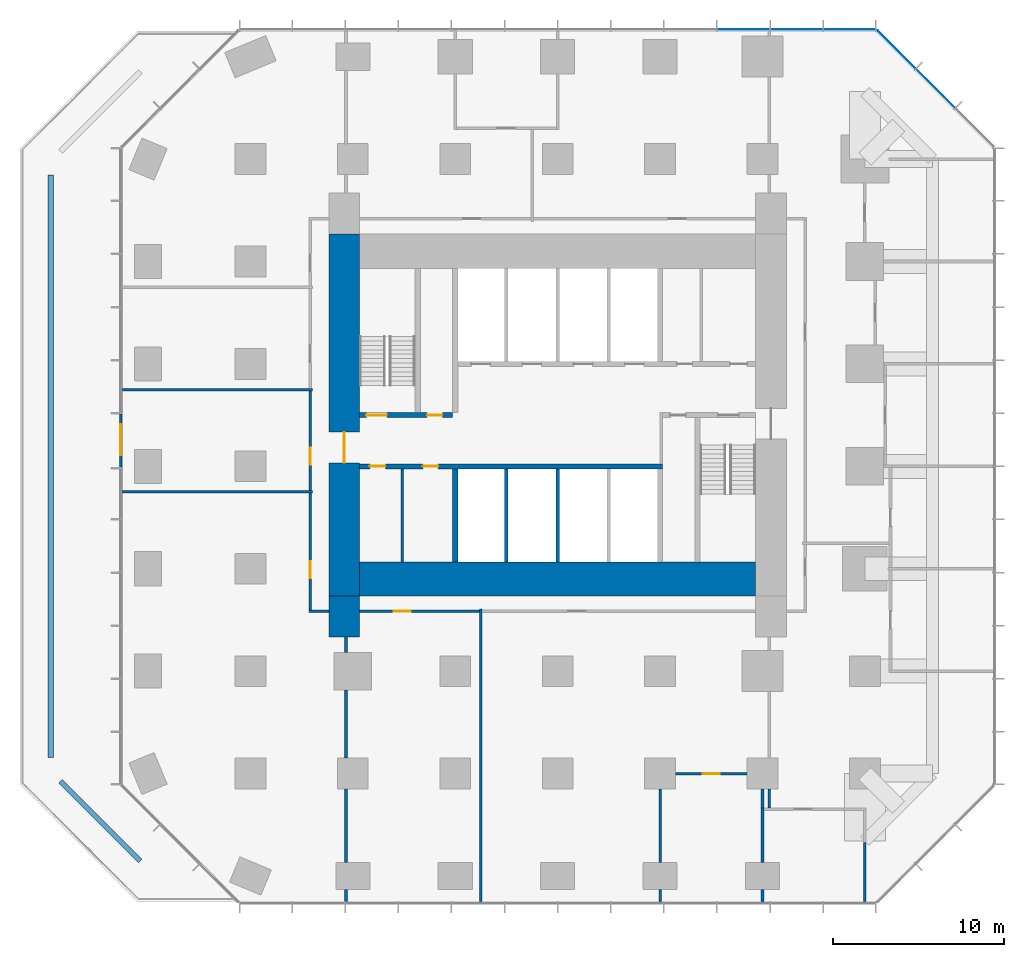
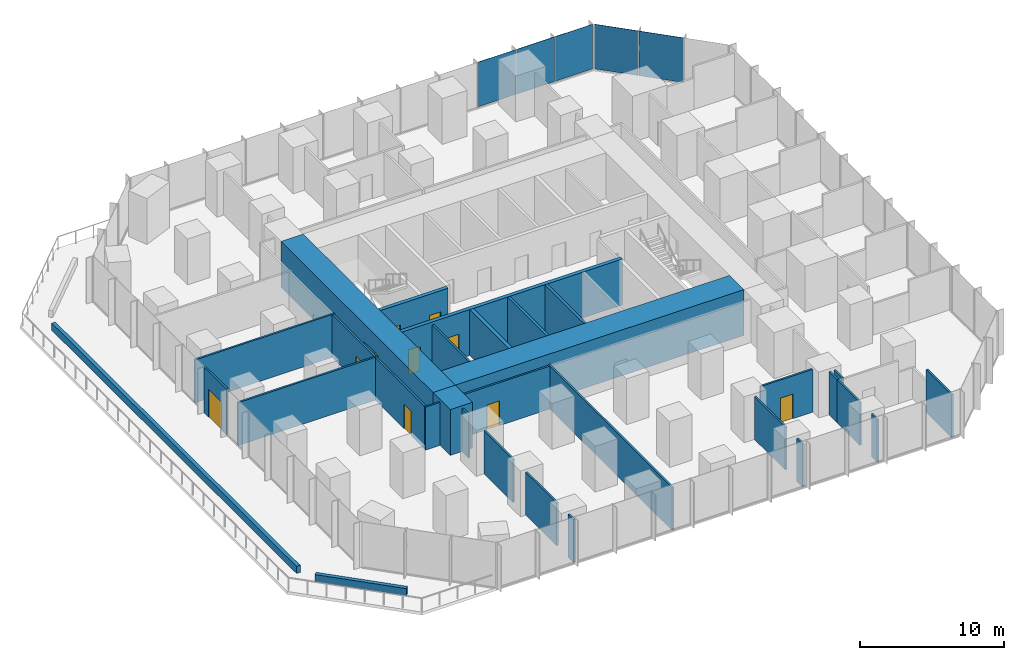
# One storey, part 8 of 12: 31 walls, 10 doors, 5 plates, 10 openings, 2 elements without a shape of their own.
"""IFC4 building model written with IfcOpenShell, lengths in metres."""

from ifc_helpers import new_model, si_unit, direction, frame, frame_2d, origin, origin_2d, place, context, subcontext, project, spatial, rectangle, extrude, material, layer, layer_set, type_object, element, fill, aggregate, save


model = new_model("IFC4")

# Units and contexts
model_context = context("Model", 3, precision=1e-05, world=origin(), true_north=direction((0.0, 1.0)))
body_context = subcontext(model_context, "Body", "Model", "MODEL_VIEW")
ifc_project = project(units=[si_unit("LENGTHUNIT", "METRE"), si_unit("AREAUNIT", "SQUARE_METRE"), si_unit("VOLUMEUNIT", "CUBIC_METRE"), si_unit("PLANEANGLEUNIT", "RADIAN"), si_unit("MASSUNIT", "GRAM", prefix="KILO")], contexts=[model_context])

# Site, building, storey
site_placement = place(None, origin())
site = spatial("IfcSite", under=ifc_project, at=site_placement, CompositionType="ELEMENT")
building_placement = place(site_placement, origin())
building = spatial("IfcBuilding", under=site, at=building_placement, Name="Highveld Stack Headquarters", CompositionType="ELEMENT")
storey_placement = place(building_placement, frame((0.0, 0.0, 41.60009765625)))
storey = spatial("IfcBuildingStorey", under=building, at=storey_placement, Name="L09", CompositionType="ELEMENT", Elevation=41.60009765625)

# Curtain wall, plates
ifc_material_1 = material(Name="Aluminium bronze anodised", Category="aluminium")
ifc_layer_1 = layer(ifc_material_1, 0.199951171875)
ifc_layer_set_1 = layer_set([ifc_layer_1], Name="Aluminium bronze anodised")
curtain_wall_type_1 = type_object("IfcCurtainWallType", Name="CW1 TOWER UNITISED CURTAIN WALL", PredefinedType="NOTDEFINED", material=ifc_layer_set_1)
curtain_wall_1_placement = place(storey_placement, origin())
curtain_wall_1 = element("IfcCurtainWall", 1, at=curtain_wall_1_placement, inside=storey, type_object=curtain_wall_type_1, Name="Curtain wall CW1 L09 N", PredefinedType="NOTDEFINED")
ifc_material_2 = material(Name="Glass bronze tinted double glazed unit", Category="glass")
ifc_layer_2 = layer(ifc_material_2, 0.028076171875)
ifc_layer_set_2 = layer_set([ifc_layer_2], Name="Glass bronze tinted double glazed unit")
plate_type_1 = type_object("IfcPlateType", Name="CW1 PANEL BRONZE TINTED DOUBLE GLAZED UNIT", PredefinedType="CURTAIN_PANEL", material=ifc_layer_set_2)
plate_1_placement = place(storey_placement, frame((23.09130859375, 25.60009765625, 0.10009765625), z_axis=(0.0, 0.0, 1.0), x_axis=(-1.0, 0.0, 0.0)))
plate_1 = element("IfcPlate", 2, at=plate_1_placement, type_object=plate_type_1, Name="CW1 panel L09 1.1", PredefinedType="CURTAIN_PANEL", context=body_context, shape_type="SweptSolid", body=[
    extrude(rectangle(XDim=3.012939453125, YDim=0.028076171875, at=origin_2d()), origin(), (0.0, 0.0, 1.0), 3.800048828125),
])
plate_2_placement = place(storey_placement, frame((19.9970703125, 25.60009765625, 0.10009765625), z_axis=(0.0, 0.0, 1.0), x_axis=(-1.0, 0.0, 0.0)))
plate_2 = element("IfcPlate", 3, at=plate_2_placement, type_object=plate_type_1, Name="CW1 panel L09 2.1", PredefinedType="CURTAIN_PANEL", context=body_context, shape_type="SweptSolid", body=[
    extrude(rectangle(XDim=3.04541015625, YDim=0.028076171875, at=origin_2d()), origin(), (0.0, 0.0, 1.0), 3.800048828125),
])
plate_3_placement = place(storey_placement, frame((16.88671875, 25.60009765625, 0.10009765625), z_axis=(0.0, 0.0, 1.0), x_axis=(-1.0, 0.0, 0.0)))
plate_3 = element("IfcPlate", 4, at=plate_3_placement, type_object=plate_type_1, Name="CW1 panel L09 3.1", PredefinedType="CURTAIN_PANEL", context=body_context, shape_type="SweptSolid", body=[
    extrude(rectangle(XDim=3.04541015625, YDim=0.028076171875, at=origin_2d()), origin(), (0.0, 0.0, 1.0), 3.800048828125),
])
aggregate(curtain_wall_1, [plate_1, plate_2, plate_3])

ifc_material_3 = material(Name="Aluminium bronze anodised", Category="aluminium")
ifc_layer_3 = layer(ifc_material_3, 0.199951171875)
ifc_layer_set_3 = layer_set([ifc_layer_3], Name="Aluminium bronze anodised")
curtain_wall_type_2 = type_object("IfcCurtainWallType", Name="CW2 TOWER CHAMFER UNITISED CURTAIN WALL", PredefinedType="NOTDEFINED", material=ifc_layer_set_3)
curtain_wall_2_placement = place(storey_placement, origin())
curtain_wall_2 = element("IfcCurtainWall", 5, at=curtain_wall_2_placement, inside=storey, type_object=curtain_wall_type_2, Name="Curtain wall CW2 L09 NE", PredefinedType="NOTDEFINED")
ifc_material_4 = material(Name="Glass bronze tinted double glazed unit", Category="glass")
ifc_layer_4 = layer(ifc_material_4, 0.028076171875)
ifc_layer_set_4 = layer_set([ifc_layer_4], Name="Glass bronze tinted double glazed unit")
plate_type_2 = type_object("IfcPlateType", Name="CW2 PANEL BRONZE TINTED DOUBLE GLAZED UNIT", PredefinedType="CURTAIN_PANEL", material=ifc_layer_set_4)
plate_4_placement = place(storey_placement, frame((28.13134765625, 22.13134765625, 0.10009765625), z_axis=(0.0, 0.0, 1.0), x_axis=(-0.707106781187, 0.707106781187, 0.0)))
plate_4 = element("IfcPlate", 6, at=plate_4_placement, type_object=plate_type_2, Name="CW2 panel L09 2.1", PredefinedType="CURTAIN_PANEL", context=body_context, shape_type="SweptSolid", body=[
    extrude(rectangle(XDim=3.205322265625, YDim=0.028076171875, at=origin_2d()), origin(), (0.0, 0.0, 1.0), 3.800048828125),
])
plate_5_placement = place(storey_placement, frame((25.8427734375, 24.419921875, 0.10009765625), z_axis=(0.0, 0.0, 1.0), x_axis=(-0.707106781187, 0.707106781187, 0.0)))
plate_5 = element("IfcPlate", 7, at=plate_5_placement, type_object=plate_type_2, Name="CW2 panel L09 3.1", PredefinedType="CURTAIN_PANEL", context=body_context, shape_type="SweptSolid", body=[
    extrude(rectangle(XDim=3.1376953125, YDim=0.028076171875, at=origin_2d()), origin(), (0.0, 0.0, 1.0), 3.800048828125),
])
aggregate(curtain_wall_2, [plate_4, plate_5])

# Wall, opening, door
ifc_material_5 = material(Name="Concrete C60/75", Category="concrete")
ifc_layer_5 = layer(ifc_material_5, 1.800048828125)
ifc_layer_set_5 = layer_set([ifc_layer_5], Name="Concrete C60/75")
wall_type_1 = type_object("IfcWallType", Name="CORE WALL 1800 C60/75", PredefinedType="SHEAR", material=ifc_layer_set_5)
wall_1_placement = place(storey_placement, frame((-6.5, -7.60009765625, 0.0), z_axis=(0.0, 0.0, 1.0), x_axis=(0.0, 1.0, 0.0)))
wall_1 = element("IfcWall", 8, at=wall_1_placement, inside=storey, type_object=wall_type_1, Name="Core wall W L09", PredefinedType="SHEAR", context=body_context, shape_type="SweptSolid", body=[
    extrude(rectangle(XDim=21.2001953125, YDim=1.800048828125, at=frame_2d((10.60009765625, 0.0))), origin(), (0.0, 0.0, 1.0), 3.89990234375),
])
opening_1_placement = place(wall_1_placement, frame((7.800048828125, 0.0, 0.0)))
opening_1 = element("IfcOpeningElement", 9, at=opening_1_placement, cuts=wall_1, Name="Opening L09-02", PredefinedType="OPENING", context=body_context, shape_type="SweptSolid", body=[
    extrude(rectangle(XDim=1.800048828125, YDim=2.39990234375, at=frame_2d((0.89990234375, 1.199951171875))), frame((0.0, 0.909912109375, 0.0), z_axis=(0.0, -1.0, 0.0), x_axis=(1.0, 0.0, 0.0)), (0.0, 0.0, 1.0), 1.820068359375),
])
ifc_material_6 = material(Name="Steel fire door", Category="steel")
door_type_1 = type_object("IfcDoorType", Name="LOBBY FIRE DOOR D4 1800x2400", OperationType="DOUBLE_DOOR_SINGLE_SWING", PredefinedType="DOOR", material=ifc_material_6)
door_1_placement = place(opening_1_placement, origin())
door_1 = element("IfcDoor", 10, at=door_1_placement, inside=storey, type_object=door_type_1, Name="Core west door L09", OperationType="DOUBLE_DOOR_SINGLE_SWING", OverallHeight=2.39990234375, OverallWidth=1.800048828125, PredefinedType="DOOR", context=body_context, shape_type="SweptSolid", body=[
    extrude(rectangle(XDim=1.800048828125, YDim=2.39990234375, at=frame_2d((0.89990234375, 1.199951171875))), frame((0.0, 0.02490234375, 0.0), z_axis=(0.0, -1.0, 0.0), x_axis=(1.0, 0.0, 0.0)), (0.0, 0.0, 1.0), 0.050048828125),
])
fill(opening_1, door_1)

# Wall
ifc_material_7 = material(Name="Concrete C60/75", Category="concrete")
ifc_layer_6 = layer(ifc_material_7, 2.0)
ifc_layer_set_6 = layer_set([ifc_layer_6], Name="Concrete C60/75")
wall_type_2 = type_object("IfcWallType", Name="CORE WALL 2000 C60/75", PredefinedType="SHEAR", material=ifc_layer_set_6)
wall_2_placement = place(storey_placement, frame((-5.60009765625, -6.60009765625, 0.0), z_axis=(0.0, 0.0, 1.0), x_axis=(1.0, 0.0, 0.0)))
element("IfcWall", 11, at=wall_2_placement, inside=storey, type_object=wall_type_2, Name="Core wall S L09", PredefinedType="SHEAR", context=body_context, shape_type="SweptSolid", body=[
    extrude(rectangle(XDim=23.2001953125, YDim=2.0, at=frame_2d((11.60009765625, 0.0))), origin(), (0.0, 0.0, 1.0), 3.89990234375),
])

# Wall, openings, doors
ifc_material_8 = material(Name="Concrete C60/75", Category="concrete")
ifc_layer_7 = layer(ifc_material_8, 0.300048828125)
ifc_layer_set_7 = layer_set([ifc_layer_7], Name="Concrete C60/75")
wall_type_3 = type_object("IfcWallType", Name="CORE WALL 300 C60/75", PredefinedType="SHEAR", material=ifc_layer_set_7)
wall_3_placement = place(storey_placement, frame((-5.60009765625, 0.0, 0.0), z_axis=(0.0, 0.0, 1.0), x_axis=(1.0, 0.0, 0.0)))
wall_3 = element("IfcWall", 12, at=wall_3_placement, inside=storey, type_object=wall_type_3, Name="Core wall I-Y0 L09", PredefinedType="SHEAR", context=body_context, shape_type="SweptSolid", body=[
    extrude(rectangle(XDim=17.75, YDim=0.300048828125, at=frame_2d((8.875, 0.0))), origin(), (0.0, 0.0, 1.0), 3.89990234375),
])
opening_2_placement = place(wall_3_placement, frame((0.60009765625, 0.0, 0.0)))
opening_2 = element("IfcOpeningElement", 13, at=opening_2_placement, cuts=wall_3, Name="Opening L09-08", PredefinedType="OPENING", context=body_context, shape_type="SweptSolid", body=[
    extrude(rectangle(XDim=0.89990234375, YDim=2.10009765625, at=frame_2d((0.449951171875, 1.050048828125))), frame((0.0, 0.159912109375, 0.0), z_axis=(0.0, -1.0, 0.0), x_axis=(1.0, 0.0, 0.0)), (0.0, 0.0, 1.0), 0.320068359375),
])
opening_3_placement = place(wall_3_placement, frame((3.699951171875, 0.0, 0.0)))
opening_3 = element("IfcOpeningElement", 14, at=opening_3_placement, cuts=wall_3, Name="Opening L09-09", PredefinedType="OPENING", context=body_context, shape_type="SweptSolid", body=[
    extrude(rectangle(XDim=0.89990234375, YDim=2.10009765625, at=frame_2d((0.449951171875, 1.050048828125))), frame((0.0, 0.159912109375, 0.0), z_axis=(0.0, -1.0, 0.0), x_axis=(1.0, 0.0, 0.0)), (0.0, 0.0, 1.0), 0.320068359375),
])
ifc_material_9 = material(Name="Timber door, painted", Category="wood")
door_type_2 = type_object("IfcDoorType", Name="WC DOOR D1 900x2100", OperationType="SINGLE_SWING_LEFT", PredefinedType="DOOR", material=ifc_material_9)
door_2_placement = place(opening_2_placement, origin())
door_2 = element("IfcDoor", 15, at=door_2_placement, inside=storey, type_object=door_type_2, Name="Female WC door L09", OperationType="SINGLE_SWING_LEFT", OverallHeight=2.10009765625, OverallWidth=0.89990234375, PredefinedType="DOOR", context=body_context, shape_type="SweptSolid", body=[
    extrude(rectangle(XDim=0.89990234375, YDim=2.10009765625, at=frame_2d((0.449951171875, 1.050048828125))), frame((0.0, 0.02490234375, 0.0), z_axis=(0.0, -1.0, 0.0), x_axis=(1.0, 0.0, 0.0)), (0.0, 0.0, 1.0), 0.050048828125),
])
fill(opening_2, door_2)
door_3_placement = place(opening_3_placement, origin())
door_3 = element("IfcDoor", 16, at=door_3_placement, inside=storey, type_object=door_type_2, Name="Shower and changing room door L09", OperationType="SINGLE_SWING_LEFT", OverallHeight=2.10009765625, OverallWidth=0.89990234375, PredefinedType="DOOR", context=body_context, shape_type="SweptSolid", body=[
    extrude(rectangle(XDim=0.89990234375, YDim=2.10009765625, at=frame_2d((0.449951171875, 1.050048828125))), frame((0.0, 0.02490234375, 0.0), z_axis=(0.0, -1.0, 0.0), x_axis=(1.0, 0.0, 0.0)), (0.0, 0.0, 1.0), 0.050048828125),
])
fill(opening_3, door_3)

wall_4_placement = place(storey_placement, frame((-5.60009765625, 3.0, 0.0), z_axis=(0.0, 0.0, 1.0), x_axis=(1.0, 0.0, 0.0)))
wall_4 = element("IfcWall", 17, at=wall_4_placement, inside=storey, type_object=wall_type_3, Name="Core wall I-Y3W L09", PredefinedType="SHEAR", context=body_context, shape_type="SweptSolid", body=[
    extrude(rectangle(XDim=5.4501953125, YDim=0.300048828125, at=frame_2d((2.72509765625, 0.0))), origin(), (0.0, 0.0, 1.0), 3.89990234375),
])
opening_4_placement = place(wall_4_placement, frame((0.39990234375, 0.0, 0.0)))
opening_4 = element("IfcOpeningElement", 18, at=opening_4_placement, cuts=wall_4, Name="Opening L09-04", PredefinedType="OPENING", context=body_context, shape_type="SweptSolid", body=[
    extrude(rectangle(XDim=1.199951171875, YDim=2.10009765625, at=frame_2d((0.60009765625, 1.050048828125))), frame((0.0, 0.159912109375, 0.0), z_axis=(0.0, -1.0, 0.0), x_axis=(1.0, 0.0, 0.0)), (0.0, 0.0, 1.0), 0.320068359375),
])
opening_5_placement = place(wall_4_placement, frame((3.949951171875, 0.0, 0.0)))
opening_5 = element("IfcOpeningElement", 19, at=opening_5_placement, cuts=wall_4, Name="Opening L09-05", PredefinedType="OPENING", context=body_context, shape_type="SweptSolid", body=[
    extrude(rectangle(XDim=0.89990234375, YDim=2.10009765625, at=frame_2d((0.449951171875, 1.050048828125))), frame((0.0, 0.159912109375, 0.0), z_axis=(0.0, -1.0, 0.0), x_axis=(1.0, 0.0, 0.0)), (0.0, 0.0, 1.0), 0.320068359375),
])
ifc_material_10 = material(Name="Steel fire door", Category="steel")
door_type_3 = type_object("IfcDoorType", Name="RISER ACCESS DOOR D5 900x2100", OperationType="SINGLE_SWING_LEFT", PredefinedType="DOOR", material=ifc_material_10)
door_4_placement = place(opening_5_placement, origin())
door_4 = element("IfcDoor", 20, at=door_4_placement, inside=storey, type_object=door_type_3, Name="Riser R1 door L09", OperationType="SINGLE_SWING_RIGHT", OverallHeight=2.10009765625, OverallWidth=0.89990234375, PredefinedType="DOOR", context=body_context, shape_type="SweptSolid", body=[
    extrude(rectangle(XDim=0.89990234375, YDim=2.10009765625, at=frame_2d((0.449951171875, 1.050048828125))), frame((0.0, 0.02490234375, 0.0), z_axis=(0.0, -1.0, 0.0), x_axis=(1.0, 0.0, 0.0)), (0.0, 0.0, 1.0), 0.050048828125),
])
fill(opening_5, door_4)
ifc_material_11 = material(Name="Steel fire door", Category="steel")
door_type_4 = type_object("IfcDoorType", Name="STAIR FIRE DOOR D3 1200x2100", OperationType="SINGLE_SWING_LEFT", PredefinedType="DOOR", material=ifc_material_11)
door_5_placement = place(opening_4_placement, origin())
door_5 = element("IfcDoor", 21, at=door_5_placement, inside=storey, type_object=door_type_4, Name="Stair S1 door L09", OperationType="SINGLE_SWING_LEFT", OverallHeight=2.10009765625, OverallWidth=1.199951171875, PredefinedType="DOOR", context=body_context, shape_type="SweptSolid", body=[
    extrude(rectangle(XDim=1.199951171875, YDim=2.10009765625, at=frame_2d((0.60009765625, 1.050048828125))), frame((0.0, 0.02490234375, 0.0), z_axis=(0.0, -1.0, 0.0), x_axis=(1.0, 0.0, 0.0)), (0.0, 0.0, 1.0), 0.050048828125),
])
fill(opening_4, door_5)

# Walls
wall_5_placement = place(storey_placement, frame((0.0, -5.60009765625, 0.0), z_axis=(0.0, 0.0, 1.0), x_axis=(0.0, 1.0, 0.0)))
element("IfcWall", 22, at=wall_5_placement, inside=storey, type_object=wall_type_3, Name="Core wall I-X0S L09", PredefinedType="SHEAR", context=body_context, shape_type="SweptSolid", body=[
    extrude(rectangle(XDim=5.4501953125, YDim=0.300048828125, at=frame_2d((2.72509765625, 0.0))), origin(), (0.0, 0.0, 1.0), 3.89990234375),
])
ifc_material_12 = material(Name="Concrete C60/75", Category="concrete")
ifc_layer_8 = layer(ifc_material_12, 1.800048828125)
ifc_layer_set_8 = layer_set([ifc_layer_8], Name="Concrete C60/75")
wall_type_4 = type_object("IfcWallType", Name="CORE WING WALL 1800 C60/75", PredefinedType="SHEAR", material=ifc_layer_set_8)
wall_6_placement = place(storey_placement, frame((-6.5, -10.0, 0.0), z_axis=(0.0, 0.0, 1.0), x_axis=(0.0, 1.0, 0.0)))
element("IfcWall", 23, at=wall_6_placement, inside=storey, type_object=wall_type_4, Name="Core wing wall WS L09", PredefinedType="SHEAR", context=body_context, shape_type="SweptSolid", body=[
    extrude(rectangle(XDim=2.39990234375, YDim=1.800048828125, at=frame_2d((1.199951171875, 0.0))), origin(), (0.0, 0.0, 1.0), 3.89990234375),
])

# Wall, opening, door
ifc_material_13 = material(Name="Aluminium framed glazed screen", Category="aluminium")
ifc_layer_9 = layer(ifc_material_13, 0.14990234375)
ifc_layer_set_9 = layer_set([ifc_layer_9], Name="Aluminium framed glazed screen")
wall_type_5 = type_object("IfcWallType", Name="GLAZED DOOR SCREEN 150", PredefinedType="USERDEFINED", material=ifc_layer_set_9)
wall_7_placement = place(storey_placement, frame((-19.60009765625, -0.04248046875, 0.0), z_axis=(0.0, 0.0, 1.0), x_axis=(0.0, 1.0, 0.0)))
wall_7 = element("IfcWall", 24, at=wall_7_placement, inside=storey, type_object=wall_type_5, Name="Glazed door screen L09 W", ObjectType="GLAZED SCREEN", PredefinedType="USERDEFINED", context=body_context, shape_type="SweptSolid", body=[
    extrude(rectangle(XDim=3.120361328125, YDim=0.14990234375, at=frame_2d((1.56005859375, 0.0))), origin(), (0.0, 0.0, 1.0), 3.89990234375),
])
opening_6_placement = place(wall_7_placement, frame((0.69775390625, 0.0, 0.0)))
opening_6 = element("IfcOpeningElement", 25, at=opening_6_placement, cuts=wall_7, Name="Opening L09-01", PredefinedType="OPENING", context=body_context, shape_type="SweptSolid", body=[
    extrude(rectangle(XDim=1.800048828125, YDim=2.39990234375, at=frame_2d((0.89990234375, 1.199951171875))), frame((0.0, 0.0849609375, 0.0), z_axis=(0.0, -1.0, 0.0), x_axis=(1.0, 0.0, 0.0)), (0.0, 0.0, 1.0), 0.169921875),
])
ifc_material_14 = material(Name="Aluminium framed glass door", Category="aluminium")
door_type_5 = type_object("IfcDoorType", Name="TERRACE DOOR D8 1800x2400", OperationType="DOUBLE_DOOR_SINGLE_SWING", PredefinedType="DOOR", material=ifc_material_14)
door_6_placement = place(opening_6_placement, origin())
door_6 = element("IfcDoor", 26, at=door_6_placement, inside=storey, type_object=door_type_5, Name="Terrace door L09 W", OperationType="DOUBLE_DOOR_SINGLE_SWING", OverallHeight=2.39990234375, OverallWidth=1.800048828125, PredefinedType="DOOR", context=body_context, shape_type="SweptSolid", body=[
    extrude(rectangle(XDim=1.800048828125, YDim=2.39990234375, at=frame_2d((0.89990234375, 1.199951171875))), frame((0.0, 0.02490234375, 0.0), z_axis=(0.0, -1.0, 0.0), x_axis=(1.0, 0.0, 0.0)), (0.0, 0.0, 1.0), 0.050048828125),
])
fill(opening_6, door_6)

ifc_material_15 = material(Name="Laminated glass in aluminium frame", Category="aluminium")
ifc_layer_10 = layer(ifc_material_15, 0.14990234375)
ifc_layer_set_10 = layer_set([ifc_layer_10], Name="Laminated glass in aluminium frame")
wall_type_6 = type_object("IfcWallType", Name="GLAZED PARTITION 150", PredefinedType="PARTITIONING", material=ifc_layer_set_10)
wall_8_placement = place(storey_placement, frame((12.89990234375, -18.0, 0.0), z_axis=(0.0, 0.0, 1.0), x_axis=(1.0, 0.0, 0.0)))
wall_8 = element("IfcWall", 27, at=wall_8_placement, inside=storey, type_object=wall_type_6, Name="Glazed partition Meeting room L09", PredefinedType="PARTITIONING", context=body_context, shape_type="SweptSolid", body=[
    extrude(rectangle(XDim=4.2001953125, YDim=0.14990234375, at=frame_2d((2.10009765625, 0.0))), origin(), (0.0, 0.0, 1.0), 3.64990234375),
])
opening_7_placement = place(wall_8_placement, frame((1.60009765625, 0.0, 0.0)))
opening_7 = element("IfcOpeningElement", 28, at=opening_7_placement, cuts=wall_8, Name="Opening L09-12", PredefinedType="OPENING", context=body_context, shape_type="SweptSolid", body=[
    extrude(rectangle(XDim=1.0, YDim=2.10009765625, at=frame_2d((0.5, 1.050048828125))), frame((0.0, 0.0849609375, 0.0), z_axis=(0.0, -1.0, 0.0), x_axis=(1.0, 0.0, 0.0)), (0.0, 0.0, 1.0), 0.169921875),
])
ifc_material_16 = material(Name="Timber door, oiled ash", Category="wood")
door_type_6 = type_object("IfcDoorType", Name="ROOM DOOR D6 1000x2100", OperationType="SINGLE_SWING_LEFT", PredefinedType="DOOR", material=ifc_material_16)
door_7_placement = place(opening_7_placement, origin())
door_7 = element("IfcDoor", 29, at=door_7_placement, inside=storey, type_object=door_type_6, Name="Meeting room door 1 L09", OperationType="SINGLE_SWING_RIGHT", OverallHeight=2.10009765625, OverallWidth=1.0, PredefinedType="DOOR", context=body_context, shape_type="SweptSolid", body=[
    extrude(rectangle(XDim=1.0, YDim=2.10009765625, at=frame_2d((0.5, 1.050048828125))), frame((0.0, 0.02490234375, 0.0), z_axis=(0.0, -1.0, 0.0), x_axis=(1.0, 0.0, 0.0)), (0.0, 0.0, 1.0), 0.050048828125),
])
fill(opening_7, door_7)

# Walls
ifc_material_17 = material(Name="Concrete blockwork, fair-faced", Category="masonry")
ifc_layer_11 = layer(ifc_material_17, 0.199951171875)
ifc_layer_set_11 = layer_set([ifc_layer_11], Name="Concrete blockwork, fair-faced")
wall_type_7 = type_object("IfcWallType", Name="LIFT SHAFT ENCLOSURE WALL 200 BLOCKWORK", PredefinedType="SOLIDWALL", material=ifc_layer_set_11)
for number, where, z_axis, x_axis, name in (
    (30, (3.0, -5.60009765625, 0.0), (0.0, 0.0, 1.0), (0.0, 1.0, 0.0), "Lift shaft wall L09"),
    (31, (6.0, -5.60009765625, 0.0), (0.0, 0.0, 1.0), (0.0, 1.0, 0.0), "Lift shaft wall L09"),
):
    element("IfcWall", number, at=place(storey_placement, frame(where, z_axis=z_axis, x_axis=x_axis)), inside=storey, type_object=wall_type_7, Name=name, PredefinedType="SOLIDWALL", context=body_context, shape_type="SweptSolid", body=[
        extrude(rectangle(XDim=5.4501953125, YDim=0.199951171875, at=frame_2d((2.72509765625, 0.0))), origin(), (0.0, 0.0, 1.0), 3.89990234375),
    ])
ifc_material_18 = material(Name="Gypsum plasterboard on steel studs", Category="steel")
ifc_layer_12 = layer(ifc_material_18, 0.14990234375)
ifc_layer_set_12 = layer_set([ifc_layer_12], Name="Gypsum plasterboard on steel studs")
wall_type_8 = type_object("IfcWallType", Name="PARTITION 150 PLASTERBOARD", PredefinedType="PARTITIONING", material=ifc_layer_set_12)
wall_9_placement = place(storey_placement, frame((12.0, -25.60009765625, 0.0), z_axis=(0.0, 0.0, 1.0), x_axis=(0.0, 1.0, 0.0)))
element("IfcWall", 32, at=wall_9_placement, inside=storey, type_object=wall_type_8, Name="Partition Meeting room L09", PredefinedType="PARTITIONING", context=body_context, shape_type="SweptSolid", body=[
    extrude(rectangle(XDim=0.800048828125, YDim=0.14990234375, at=frame_2d((0.39990234375, 0.0))), origin(), (0.0, 0.0, 1.0), 3.64990234375),
])
wall_10_placement = place(storey_placement, frame((12.0, -23.199951171875, 0.0), z_axis=(0.0, 0.0, 1.0), x_axis=(0.0, 1.0, 0.0)))
element("IfcWall", 33, at=wall_10_placement, inside=storey, type_object=wall_type_8, Name="Partition Meeting room L09", PredefinedType="PARTITIONING", context=body_context, shape_type="SweptSolid", body=[
    extrude(rectangle(XDim=4.300048828125, YDim=0.14990234375, at=frame_2d((2.14990234375, 0.0))), origin(), (0.0, 0.0, 1.0), 3.64990234375),
])
wall_11_placement = place(storey_placement, frame((18.0, -25.60009765625, 0.0), z_axis=(0.0, 0.0, 1.0), x_axis=(0.0, 1.0, 0.0)))
element("IfcWall", 34, at=wall_11_placement, inside=storey, type_object=wall_type_8, Name="Partition Focus room / Meeting room L09", PredefinedType="PARTITIONING", context=body_context, shape_type="SweptSolid", body=[
    extrude(rectangle(XDim=0.800048828125, YDim=0.14990234375, at=frame_2d((0.39990234375, 0.0))), origin(), (0.0, 0.0, 1.0), 3.64990234375),
])
wall_12_placement = place(storey_placement, frame((18.0, -23.199951171875, 0.0), z_axis=(0.0, 0.0, 1.0), x_axis=(0.0, 1.0, 0.0)))
element("IfcWall", 35, at=wall_12_placement, inside=storey, type_object=wall_type_8, Name="Partition Focus room / Meeting room L09", PredefinedType="PARTITIONING", context=body_context, shape_type="SweptSolid", body=[
    extrude(rectangle(XDim=3.175048828125, YDim=0.14990234375, at=frame_2d((1.58740234375, 0.0))), origin(), (0.0, 0.0, 1.0), 3.64990234375),
])
wall_13_placement = place(storey_placement, frame((18.0, -20.02490234375, 0.0), z_axis=(0.0, 0.0, 1.0), x_axis=(0.0, 1.0, 0.0)))
element("IfcWall", 36, at=wall_13_placement, inside=storey, type_object=wall_type_8, Name="Partition Meeting room L09", PredefinedType="PARTITIONING", context=body_context, shape_type="SweptSolid", body=[
    extrude(rectangle(XDim=1.125, YDim=0.14990234375, at=frame_2d((0.5625, 0.0))), origin(), (0.0, 0.0, 1.0), 3.64990234375),
])
wall_14_placement = place(storey_placement, frame((24.0, -25.60009765625, 0.0), z_axis=(0.0, 0.0, 1.0), x_axis=(0.0, 1.0, 0.0)))
element("IfcWall", 37, at=wall_14_placement, inside=storey, type_object=wall_type_8, Name="Partition Focus room L09", PredefinedType="PARTITIONING", context=body_context, shape_type="SweptSolid", body=[
    extrude(rectangle(XDim=3.55517578125, YDim=0.14990234375, at=frame_2d((1.777587890625, 0.0))), origin(), (0.0, 0.0, 1.0), 3.64990234375),
])
for number, where, z_axis, x_axis, name in (
    (38, (-19.60009765625, -1.5, 0.0), (0.0, 0.0, 1.0), (1.0, 0.0, 0.0), "Partition office neighbourhood L09"),
    (39, (-19.60009765625, 4.5, 0.0), (0.0, 0.0, 1.0), (1.0, 0.0, 0.0), "Partition office neighbourhood L09"),
):
    element("IfcWall", number, at=place(storey_placement, frame(where, z_axis=z_axis, x_axis=x_axis)), inside=storey, type_object=wall_type_8, Name=name, PredefinedType="PARTITIONING", context=body_context, shape_type="SweptSolid", body=[
        extrude(rectangle(XDim=11.25, YDim=0.14990234375, at=frame_2d((5.625, 0.0))), origin(), (0.0, 0.0, 1.0), 3.64990234375),
    ])

# Wall, opening, door
wall_15_placement = place(storey_placement, frame((-8.5, -8.425048828125, 0.0), z_axis=(0.0, 0.0, 1.0), x_axis=(0.0, 1.0, 0.0)))
wall_15 = element("IfcWall", 40, at=wall_15_placement, inside=storey, type_object=wall_type_8, Name="Partition office neighbourhood L09", PredefinedType="PARTITIONING", context=body_context, shape_type="SweptSolid", body=[
    extrude(rectangle(XDim=6.85009765625, YDim=0.14990234375, at=frame_2d((3.425048828125, 0.0))), origin(), (0.0, 0.0, 1.0), 3.64990234375),
])
opening_8_placement = place(wall_15_placement, frame((1.875, 0.0, 0.0)))
opening_8 = element("IfcOpeningElement", 41, at=opening_8_placement, cuts=wall_15, Name="Opening L09-21", PredefinedType="OPENING", context=body_context, shape_type="SweptSolid", body=[
    extrude(rectangle(XDim=1.0, YDim=2.10009765625, at=frame_2d((0.5, 1.050048828125))), frame((0.0, 0.0849609375, 0.0), z_axis=(0.0, -1.0, 0.0), x_axis=(1.0, 0.0, 0.0)), (0.0, 0.0, 1.0), 0.169921875),
])
door_8_placement = place(opening_8_placement, origin())
door_8 = element("IfcDoor", 42, at=door_8_placement, inside=storey, type_object=door_type_6, Name="Office neighbourhood door L09", OperationType="SINGLE_SWING_LEFT", OverallHeight=2.10009765625, OverallWidth=1.0, PredefinedType="DOOR", context=body_context, shape_type="SweptSolid", body=[
    extrude(rectangle(XDim=1.0, YDim=2.10009765625, at=frame_2d((0.5, 1.050048828125))), frame((0.0, 0.02490234375, 0.0), z_axis=(0.0, -1.0, 0.0), x_axis=(1.0, 0.0, 0.0)), (0.0, 0.0, 1.0), 0.050048828125),
])
fill(opening_8, door_8)

# Wall
wall_16_placement = place(storey_placement, frame((-8.574951171875, -8.5, 0.0), z_axis=(0.0, 0.0, 1.0), x_axis=(1.0, 0.0, 0.0)))
element("IfcWall", 43, at=wall_16_placement, inside=storey, type_object=wall_type_8, Name="Partition office neighbourhood L09", PredefinedType="PARTITIONING", context=body_context, shape_type="SweptSolid", body=[
    extrude(rectangle(XDim=1.175048828125, YDim=0.14990234375, at=frame_2d((0.58740234375, 0.0))), origin(), (0.0, 0.0, 1.0), 3.64990234375),
])

# Wall, opening, door
wall_17_placement = place(storey_placement, frame((-8.5, -1.425048828125, 0.0), z_axis=(0.0, 0.0, 1.0), x_axis=(0.0, 1.0, 0.0)))
wall_17 = element("IfcWall", 44, at=wall_17_placement, inside=storey, type_object=wall_type_8, Name="Partition office neighbourhood L09", PredefinedType="PARTITIONING", context=body_context, shape_type="SweptSolid", body=[
    extrude(rectangle(XDim=5.85009765625, YDim=0.14990234375, at=frame_2d((2.925048828125, 0.0))), origin(), (0.0, 0.0, 1.0), 3.64990234375),
])
opening_9_placement = place(wall_17_placement, frame((1.52490234375, 0.0, 0.0)))
opening_9 = element("IfcOpeningElement", 45, at=opening_9_placement, cuts=wall_17, Name="Opening L09-22", PredefinedType="OPENING", context=body_context, shape_type="SweptSolid", body=[
    extrude(rectangle(XDim=1.0, YDim=2.10009765625, at=frame_2d((0.5, 1.050048828125))), frame((0.0, 0.0849609375, 0.0), z_axis=(0.0, -1.0, 0.0), x_axis=(1.0, 0.0, 0.0)), (0.0, 0.0, 1.0), 0.169921875),
])
door_9_placement = place(opening_9_placement, origin())
door_9 = element("IfcDoor", 46, at=door_9_placement, inside=storey, type_object=door_type_6, Name="Office neighbourhood door L09", OperationType="SINGLE_SWING_LEFT", OverallHeight=2.10009765625, OverallWidth=1.0, PredefinedType="DOOR", context=body_context, shape_type="SweptSolid", body=[
    extrude(rectangle(XDim=1.0, YDim=2.10009765625, at=frame_2d((0.5, 1.050048828125))), frame((0.0, 0.02490234375, 0.0), z_axis=(0.0, -1.0, 0.0), x_axis=(1.0, 0.0, 0.0)), (0.0, 0.0, 1.0), 0.050048828125),
])
fill(opening_9, door_9)

# Walls
wall_18_placement = place(storey_placement, frame((-6.39990234375, -25.550048828125, 0.0), z_axis=(0.0, 0.0, 1.0), x_axis=(0.0, 1.0, 0.0)))
element("IfcWall", 47, at=wall_18_placement, inside=storey, type_object=wall_type_8, Name="Partition office neighbourhood L09", PredefinedType="PARTITIONING", context=body_context, shape_type="SweptSolid", body=[
    extrude(rectangle(XDim=0.75, YDim=0.14990234375, at=frame_2d((0.375, 0.0))), origin(), (0.0, 0.0, 1.0), 3.64990234375),
])
wall_19_placement = place(storey_placement, frame((-6.39990234375, -23.199951171875, 0.0), z_axis=(0.0, 0.0, 1.0), x_axis=(0.0, 1.0, 0.0)))
element("IfcWall", 48, at=wall_19_placement, inside=storey, type_object=wall_type_8, Name="Partition office neighbourhood L09", PredefinedType="PARTITIONING", context=body_context, shape_type="SweptSolid", body=[
    extrude(rectangle(XDim=4.300048828125, YDim=0.14990234375, at=frame_2d((2.14990234375, 0.0))), origin(), (0.0, 0.0, 1.0), 3.64990234375),
])
wall_20_placement = place(storey_placement, frame((-6.39990234375, -17.10009765625, 0.0), z_axis=(0.0, 0.0, 1.0), x_axis=(0.0, 1.0, 0.0)))
element("IfcWall", 49, at=wall_20_placement, inside=storey, type_object=wall_type_8, Name="Partition office neighbourhood L09", PredefinedType="PARTITIONING", context=body_context, shape_type="SweptSolid", body=[
    extrude(rectangle(XDim=4.0, YDim=0.14990234375, at=frame_2d((2.0, 0.0))), origin(), (0.0, 0.0, 1.0), 3.64990234375),
])
wall_21_placement = place(storey_placement, frame((-6.39990234375, -10.89990234375, 0.0), z_axis=(0.0, 0.0, 1.0), x_axis=(0.0, 1.0, 0.0)))
element("IfcWall", 50, at=wall_21_placement, inside=storey, type_object=wall_type_8, Name="Partition office neighbourhood L09", PredefinedType="PARTITIONING", context=body_context, shape_type="SweptSolid", body=[
    extrude(rectangle(XDim=0.89990234375, YDim=0.14990234375, at=frame_2d((0.449951171875, 0.0))), origin(), (0.0, 0.0, 1.0), 3.64990234375),
])

# Wall, opening, door
wall_22_placement = place(storey_placement, frame((1.425048828125, -8.5, 0.0), z_axis=(0.0, 0.0, 1.0), x_axis=(-1.0, 0.0, 0.0)))
wall_22 = element("IfcWall", 51, at=wall_22_placement, inside=storey, type_object=wall_type_8, Name="Partition office neighbourhood L09", PredefinedType="PARTITIONING", context=body_context, shape_type="SweptSolid", body=[
    extrude(rectangle(XDim=7.025146484375, YDim=0.14990234375, at=frame_2d((3.5126953125, 0.0))), origin(), (0.0, 0.0, 1.0), 3.64990234375),
])
opening_10_placement = place(wall_22_placement, frame((4.0400390625, 0.0, 0.0)))
opening_10 = element("IfcOpeningElement", 52, at=opening_10_placement, cuts=wall_22, Name="Opening L09-26", PredefinedType="OPENING", context=body_context, shape_type="SweptSolid", body=[
    extrude(rectangle(XDim=1.0, YDim=2.10009765625, at=frame_2d((0.5, 1.050048828125))), frame((0.0, 0.0849609375, 0.0), z_axis=(0.0, -1.0, 0.0), x_axis=(1.0, 0.0, 0.0)), (0.0, 0.0, 1.0), 0.169921875),
])
door_10_placement = place(opening_10_placement, origin())
door_10 = element("IfcDoor", 53, at=door_10_placement, inside=storey, type_object=door_type_6, Name="Office neighbourhood door L09", OperationType="SINGLE_SWING_RIGHT", OverallHeight=2.10009765625, OverallWidth=1.0, PredefinedType="DOOR", context=body_context, shape_type="SweptSolid", body=[
    extrude(rectangle(XDim=1.0, YDim=2.10009765625, at=frame_2d((0.5, 1.050048828125))), frame((0.0, 0.02490234375, 0.0), z_axis=(0.0, -1.0, 0.0), x_axis=(1.0, 0.0, 0.0)), (0.0, 0.0, 1.0), 0.050048828125),
])
fill(opening_10, door_10)

# Walls
wall_23_placement = place(storey_placement, frame((1.5, -25.60009765625, 0.0), z_axis=(0.0, 0.0, 1.0), x_axis=(0.0, 1.0, 0.0)))
element("IfcWall", 54, at=wall_23_placement, inside=storey, type_object=wall_type_8, Name="Partition office neighbourhood L09", PredefinedType="PARTITIONING", context=body_context, shape_type="SweptSolid", body=[
    extrude(rectangle(XDim=17.25, YDim=0.14990234375, at=frame_2d((8.625, 0.0))), origin(), (0.0, 0.0, 1.0), 3.64990234375),
])
wall_24_placement = place(storey_placement, frame((18.39990234375, -20.02490234375, 0.0), z_axis=(0.0, 0.0, 1.0), x_axis=(0.0, 1.0, 0.0)))
element("IfcWall", 55, at=wall_24_placement, inside=storey, type_object=wall_type_8, Name="Partition office neighbourhood L09", PredefinedType="PARTITIONING", context=body_context, shape_type="SweptSolid", body=[
    extrude(rectangle(XDim=1.125, YDim=0.14990234375, at=frame_2d((0.5625, 0.0))), origin(), (0.0, 0.0, 1.0), 3.64990234375),
])
ifc_material_19 = material(Name="Concrete C40/50, precast planter", Category="concrete")
ifc_layer_13 = layer(ifc_material_19, 0.300048828125)
ifc_layer_set_13 = layer_set([ifc_layer_13], Name="Concrete C40/50, precast planter")
wall_type_9 = type_object("IfcWallType", Name="PLANTER WALL PL1 300", PredefinedType="USERDEFINED", material=ifc_layer_set_13)
wall_25_placement = place(storey_placement, frame((-18.453125, -23.12255859375, 0.0), z_axis=(0.0, 0.0, 1.0), x_axis=(-0.707106781187, 0.707106781187, 0.0)))
element("IfcWall", 56, at=wall_25_placement, inside=storey, type_object=wall_type_9, Name="Planter L09 1.2", ObjectType="PLANTER", PredefinedType="USERDEFINED", context=body_context, shape_type="SweptSolid", body=[
    extrude(rectangle(XDim=6.603515625, YDim=0.300048828125, at=frame_2d((3.3017578125, 0.0))), origin(), (0.0, 0.0, 1.0), 0.599853515625),
])
wall_26_placement = place(storey_placement, frame((-23.699951171875, -17.05908203125, 0.0), z_axis=(0.0, 0.0, 1.0), x_axis=(0.0, 1.0, 0.0)))
element("IfcWall", 57, at=wall_26_placement, inside=storey, type_object=wall_type_9, Name="Planter L09 1.3", ObjectType="PLANTER", PredefinedType="USERDEFINED", context=body_context, shape_type="SweptSolid", body=[
    extrude(rectangle(XDim=34.1181640625, YDim=0.300048828125, at=frame_2d((17.05908203125, 0.0))), origin(), (0.0, 0.0, 1.0), 0.599853515625),
])
ifc_material_20 = material(Name="Concrete blockwork, tiled", Category="masonry")
ifc_layer_14 = layer(ifc_material_20, 0.14990234375)
ifc_layer_set_14 = layer_set([ifc_layer_14], Name="Concrete blockwork, tiled")
wall_type_10 = type_object("IfcWallType", Name="WC PARTITION 150", PredefinedType="PLUMBINGWALL", material=ifc_layer_set_14)
wall_27_placement = place(storey_placement, frame((-3.10009765625, -5.60009765625, 0.0), z_axis=(0.0, 0.0, 1.0), x_axis=(0.0, 1.0, 0.0)))
element("IfcWall", 58, at=wall_27_placement, inside=storey, type_object=wall_type_10, Name="Toilet partition L09", PredefinedType="PLUMBINGWALL", context=body_context, shape_type="SweptSolid", body=[
    extrude(rectangle(XDim=5.4501953125, YDim=0.14990234375, at=frame_2d((2.72509765625, 0.0))), origin(), (0.0, 0.0, 1.0), 3.64990234375),
])

save(model, "model.ifc")
